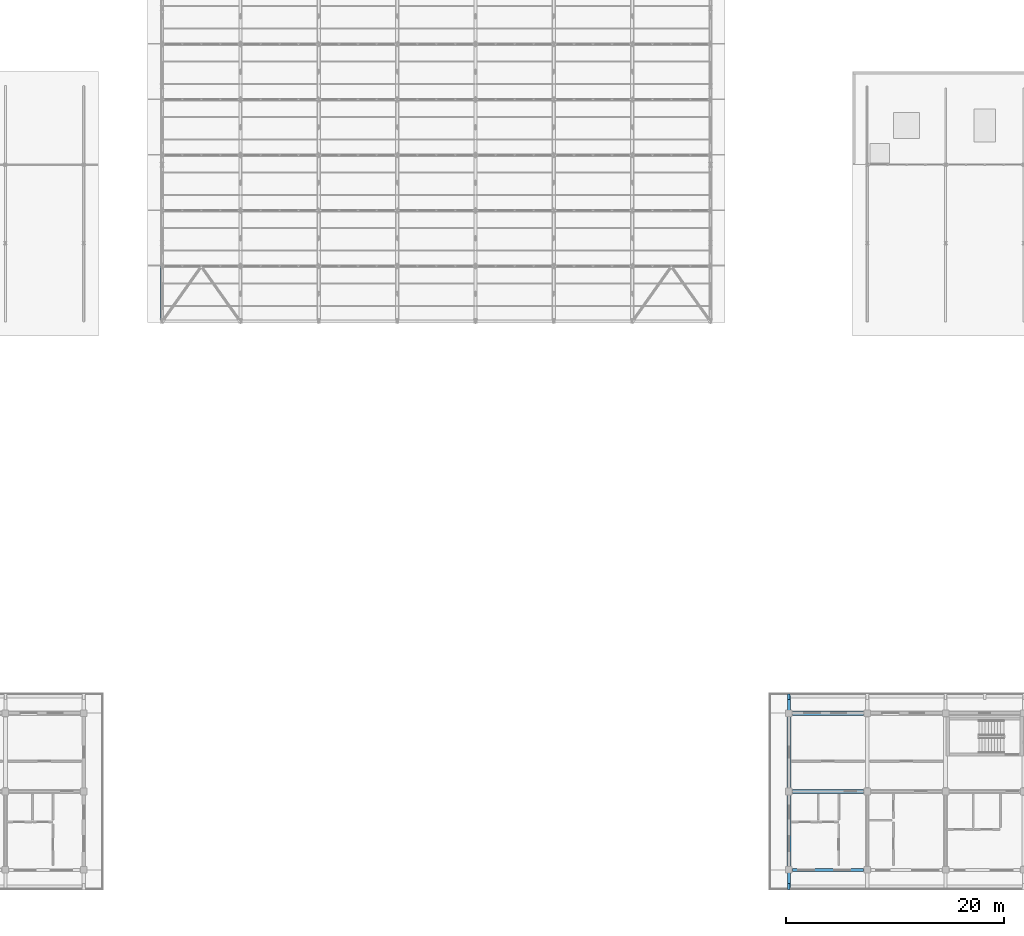
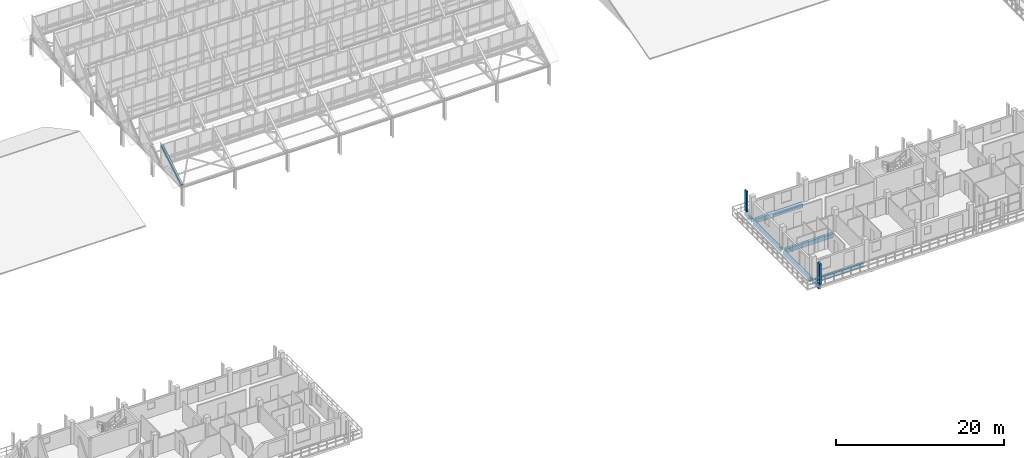
# One storey, part 22 of 157: 7 beams, 3 members.
"""IFC4 building model written with IfcOpenShell, lengths in metres."""

from ifc_helpers import new_model, si_unit, direction, frame, origin, origin_2d, place, context, subcontext, project, spatial, rectangle, i_section, extrude, material, material_profile, profile_set, type_object, element, save


model = new_model("IFC4")

# Units and contexts
model_context = context("Model", 3, precision=1e-05, world=origin(), true_north=direction((0.0, 1.0)))
body_context = subcontext(model_context, "Body", "Model", "MODEL_VIEW")
ifc_project = project(units=[si_unit("LENGTHUNIT", "METRE"), si_unit("AREAUNIT", "SQUARE_METRE"), si_unit("VOLUMEUNIT", "CUBIC_METRE"), si_unit("PLANEANGLEUNIT", "RADIAN"), si_unit("MASSUNIT", "GRAM", prefix="KILO")], contexts=[model_context])

# Site, building, storey
site_placement = place(None, origin())
site = spatial("IfcSite", under=ifc_project, at=site_placement, CompositionType="ELEMENT")
building_placement = place(site_placement, origin())
building = spatial("IfcBuilding", under=site, at=building_placement, Name="Suanplinth Sawtooth Commons", CompositionType="ELEMENT")
storey_placement = place(building_placement, frame((0.0, 0.0, 9.0)))
storey = spatial("IfcBuildingStorey", under=building, at=storey_placement, Name="L02", CompositionType="ELEMENT", Elevation=9.0)

# Beams
ifc_material_1 = material(Name="Precast concrete C40/50", Category="concrete")
ifc_material_profile_1 = material_profile(ifc_material_1, rectangle(XDim=0.39990234375, YDim=0.60009765625, at=origin_2d()), Name="PC-GDR 400x600")
ifc_profile_set_1 = profile_set([ifc_material_profile_1], Name="Precast concrete C40/50")
beam_type_1 = type_object("IfcBeamType", Name="B-05", PredefinedType="USERDEFINED", material=ifc_profile_set_1)
for number, where, z_axis, x_axis, name in (
    (1, (122.75, 7.199951171875, -0.550048828125), (1.0, 0.0, 0.0), (0.0, 1.0, 0.0), "BMX-L02-C-17-1"),
    (2, (122.75, 14.39990234375, -0.550048828125), (1.0, 0.0, 0.0), (0.0, 1.0, 0.0), "BMX-L02-C-17-2"),
):
    element("IfcBeam", number, at=place(storey_placement, frame(where, z_axis=z_axis, x_axis=x_axis)), inside=storey, type_object=beam_type_1, Name=name, ObjectType="GIRDER", PredefinedType="USERDEFINED", context=body_context, shape_type="SweptSolid", body=[
        extrude(rectangle(XDim=0.39990234375, YDim=0.60009765625, at=origin_2d()), origin(), (0.0, 0.0, 1.0), 6.5),
    ])
ifc_material_profile_2 = material_profile(ifc_material_1, rectangle(XDim=0.35009765625, YDim=0.550048828125, at=origin_2d()), Name="PC-BM 350x550")
ifc_profile_set_2 = profile_set([ifc_material_profile_2], Name="Precast concrete C40/50")
beam_type_2 = type_object("IfcBeamType", Name="B-06", PredefinedType="BEAM", material=ifc_profile_set_2)
for number, where, z_axis, x_axis, name in (
    (3, (122.39990234375, 0.35009765625, -0.52490234375), (0.0, 1.0, 0.0), (-1.0, 0.0, 0.0), "BMY-L02-C-17-0"),
    (4, (122.39990234375, 7.550048828125, -0.52490234375), (0.0, 1.0, 0.0), (-1.0, 0.0, 0.0), "BMY-L02-C-17-1"),
):
    element("IfcBeam", number, at=place(storey_placement, frame(where, z_axis=z_axis, x_axis=x_axis)), inside=storey, type_object=beam_type_2, Name=name, PredefinedType="BEAM", context=body_context, shape_type="SweptSolid", body=[
        extrude(rectangle(XDim=0.35009765625, YDim=0.550048828125, at=origin_2d()), origin(), (0.0, 0.0, 1.0), 6.5),
    ])
ifc_material_profile_3 = material_profile(ifc_material_1, rectangle(XDim=0.300048828125, YDim=0.5, at=origin_2d()), Name="PC-BM 300x500")
ifc_profile_set_3 = profile_set([ifc_material_profile_3], Name="Precast concrete C40/50")
beam_type_3 = type_object("IfcBeamType", Name="B-07", PredefinedType="BEAM", material=ifc_profile_set_3)
beam_1_placement = place(storey_placement, frame((122.39990234375, 0.0, -0.429931640625), z_axis=(0.0, -1.0, 0.0), x_axis=(1.0, 0.0, 0.0)))
element("IfcBeam", 5, at=beam_1_placement, inside=storey, type_object=beam_type_3, Name="Balcony Outrigger L02-C-S-17", PredefinedType="BEAM", context=body_context, shape_type="SweptSolid", body=[
    extrude(rectangle(XDim=0.300048828125, YDim=0.5, at=origin_2d()), origin(), (0.0, 0.0, 1.0), 1.639892578125),
])
beam_2_placement = place(storey_placement, frame((122.39990234375, 14.39990234375, -0.425048828125), z_axis=(0.0, 1.0, 0.0), x_axis=(-1.0, 0.0, 0.0)))
element("IfcBeam", 6, at=beam_2_placement, inside=storey, type_object=beam_type_3, Name="Balcony Outrigger L02-C-NC-17", PredefinedType="BEAM", context=body_context, shape_type="SweptSolid", body=[
    extrude(rectangle(XDim=0.300048828125, YDim=0.5, at=origin_2d()), origin(), (0.0, 0.0, 1.0), 1.64013671875),
])
ifc_material_profile_4 = material_profile(ifc_material_1, rectangle(XDim=0.280029296875, YDim=0.52001953125, at=origin_2d()), Name="PC-SP 280x520")
ifc_profile_set_4 = profile_set([ifc_material_profile_4], Name="Precast concrete C40/50")
beam_type_4 = type_object("IfcBeamType", Name="B-08", PredefinedType="SPANDREL", material=ifc_profile_set_4)
beam_3_placement = place(storey_placement, frame((122.75, 0.0, -0.510009765625), z_axis=(1.0, 0.0, 0.0), x_axis=(0.0, 1.0, 0.0)))
element("IfcBeam", 7, at=beam_3_placement, inside=storey, type_object=beam_type_4, Name="BMX-L02-C-17-0", PredefinedType="SPANDREL", context=body_context, shape_type="SweptSolid", body=[
    extrude(rectangle(XDim=0.280029296875, YDim=0.52001953125, at=origin_2d()), origin(), (0.0, 0.0, 1.0), 6.5),
])

# Members
ifc_material_2 = material(Name="Steel S355JR", Category="steel")
ifc_material_profile_5 = material_profile(ifc_material_2, i_section(OverallWidth=0.280029296875, OverallDepth=0.280029296875, WebThickness=0.010498046875, FlangeThickness=0.01806640625, at=origin_2d()), Name="HEB 280")
ifc_profile_set_5 = profile_set([ifc_material_profile_5], Name="Steel S355JR")
member_type_1 = type_object("IfcMemberType", Name="M-02", PredefinedType="CHORD", material=ifc_profile_set_5)
member_1_placement = place(storey_placement, frame((64.800048828125, 50.5400390625, 2.919921875), z_axis=(0.0, 0.855283356021, 0.51816057445), x_axis=(-1.0, 0.0, 0.0)))
element("IfcMember", 8, at=member_1_placement, inside=storey, type_object=member_type_1, Name="Sawtooth Truss T1 Top Chord 1", PredefinedType="CHORD", context=body_context, shape_type="SweptSolid", body=[
    extrude(i_section(OverallWidth=0.280029296875, OverallDepth=0.280029296875, WebThickness=0.010498046875, FlangeThickness=0.01806640625, at=origin_2d()), origin(), (0.0, 0.0, 1.0), 5.6357421875),
])
ifc_material_3 = material(Name="Pigmented precast concrete C40/50", Category="concrete")
ifc_material_profile_6 = material_profile(ifc_material_3, rectangle(XDim=0.25, YDim=0.5400390625, at=origin_2d()), Name="PC-FIN 250x540")
ifc_profile_set_6 = profile_set([ifc_material_profile_6], Name="Pigmented precast concrete C40/50")
member_type_2 = type_object("IfcMemberType", Name="M-11", PredefinedType="USERDEFINED", material=ifc_profile_set_6)
member_2_placement = place(storey_placement, frame((122.39990234375, -1.52001953125, 0.0), z_axis=(0.0, 0.0, 1.0), x_axis=(1.0, 0.0, 0.0)))
element("IfcMember", 9, at=member_2_placement, inside=storey, type_object=member_type_2, Name="Upright Solar Blade L02-C-S-01", ObjectType="SHADING FIN", PredefinedType="USERDEFINED", context=body_context, shape_type="SweptSolid", body=[
    extrude(rectangle(XDim=0.25, YDim=0.5400390625, at=origin_2d()), origin(), (0.0, 0.0, 1.0), 3.030029296875),
])
ifc_material_profile_7 = material_profile(ifc_material_3, rectangle(XDim=0.2099609375, YDim=0.52001953125, at=origin_2d()), Name="PC-FIN 210x520")
ifc_profile_set_7 = profile_set([ifc_material_profile_7], Name="Pigmented precast concrete C40/50")
member_type_3 = type_object("IfcMemberType", Name="M-12", PredefinedType="USERDEFINED", material=ifc_profile_set_7)
member_3_placement = place(storey_placement, frame((122.39990234375, 15.919921875, 0.0), z_axis=(0.0, 0.0, 1.0), x_axis=(1.0, 0.0, 0.0)))
element("IfcMember", 10, at=member_3_placement, inside=storey, type_object=member_type_3, Name="Upright Solar Blade L02-C-NC-16", ObjectType="SHADING FIN", PredefinedType="USERDEFINED", context=body_context, shape_type="SweptSolid", body=[
    extrude(rectangle(XDim=0.2099609375, YDim=0.52001953125, at=origin_2d()), origin(), (0.0, 0.0, 1.0), 3.030029296875),
])

save(model, "model.ifc")
